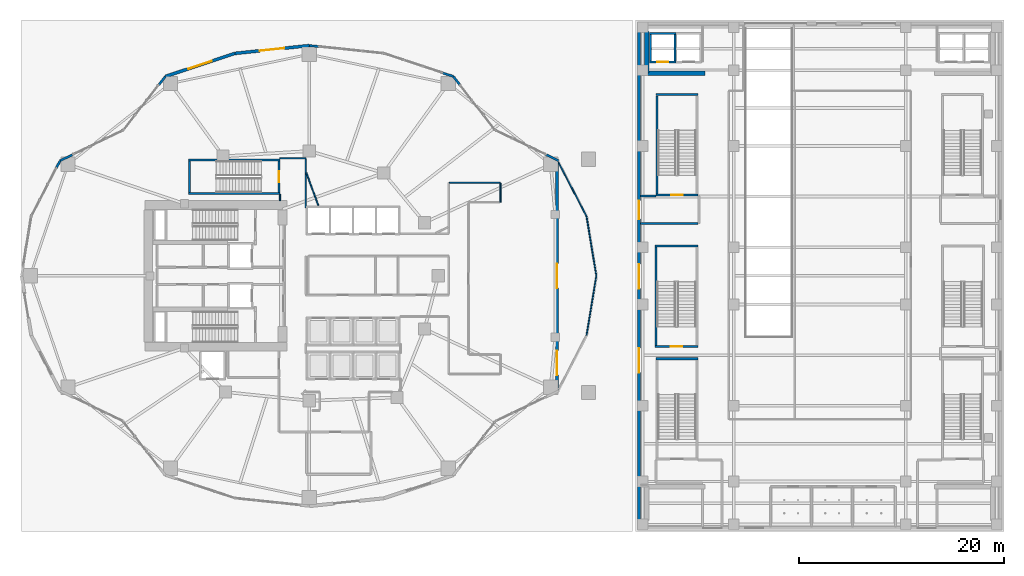
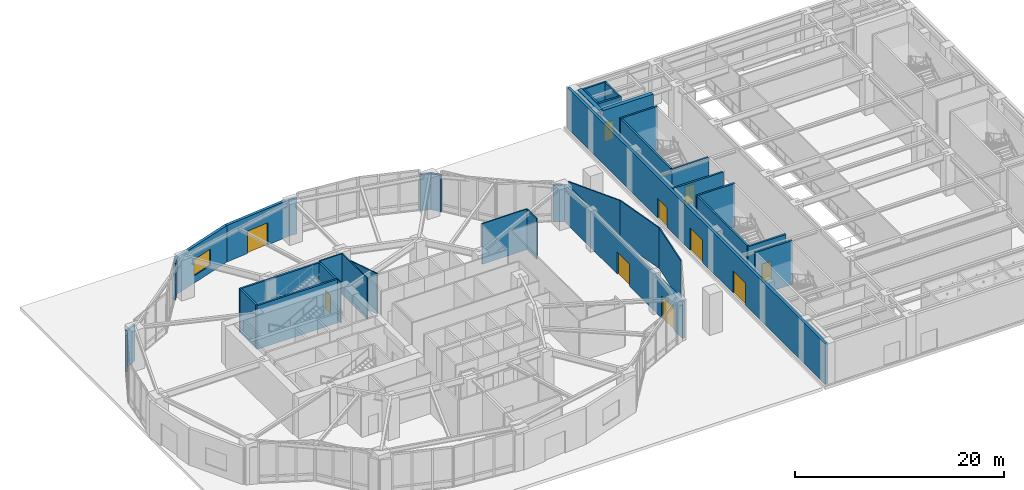
# One storey, part 14 of 23: 39 walls, 10 doors, 1 window, 11 openings.
"""IFC4 building model written with IfcOpenShell, lengths in metres."""

from ifc_helpers import new_model, si_unit, direction, frame, frame_2d, origin, place, context, subcontext, project, spatial, rectangle, extrude, material, layer, layer_set, type_object, element, fill, save


model = new_model("IFC4")

# Units and contexts
model_context = context("Model", 3, precision=1e-05, world=origin(), true_north=direction((0.0, 1.0)))
body_context = subcontext(model_context, "Body", "Model", "MODEL_VIEW")
ifc_project = project(units=[si_unit("LENGTHUNIT", "METRE"), si_unit("AREAUNIT", "SQUARE_METRE"), si_unit("VOLUMEUNIT", "CUBIC_METRE"), si_unit("PLANEANGLEUNIT", "RADIAN"), si_unit("MASSUNIT", "GRAM", prefix="KILO")], contexts=[model_context])

# Site, building, storey
site_placement = place(None, origin())
site = spatial("IfcSite", under=ifc_project, at=site_placement, CompositionType="ELEMENT")
building_placement = place(site_placement, origin())
building = spatial("IfcBuilding", under=site, at=building_placement, Name="Kolvaren Gate Tower and Convention Centre", CompositionType="ELEMENT")
storey_placement = place(building_placement, origin())
storey = spatial("IfcBuildingStorey", under=building, at=storey_placement, Name="L00", CompositionType="ELEMENT", Elevation=0.0)

# Walls
ifc_material_1 = material(Name="Fire-Rated Acoustic Gypsum Stud Partition", Category="gypsum")
ifc_layer_1 = layer(ifc_material_1, 0.1201171875)
ifc_layer_set_1 = layer_set([ifc_layer_1], Name="Fire-Rated Acoustic Gypsum Stud Partition")
wall_type_1 = type_object("IfcWallType", Name="ARCH-WL-PART-120", PredefinedType="PARTITIONING", material=ifc_layer_set_1)
wall_1_placement = place(storey_placement, frame((27.25, 34.35205078125, 0.0), z_axis=(0.0, 0.0, 1.0), x_axis=(0.0, 1.0, 0.0)))
element("IfcWall", 1, at=wall_1_placement, inside=storey, type_object=wall_type_1, Name="Interior Partition WL-L00-INT-021", PredefinedType="PARTITIONING", context=body_context, shape_type="SweptSolid", body=[
    extrude(rectangle(XDim=0.60595703125, YDim=0.1201171875, at=frame_2d((0.302978515625, 0.0))), origin(), (0.0, 0.0, 1.0), 4.739990234375),
])
wall_2_placement = place(storey_placement, frame((27.25, 38.5, 0.0), z_axis=(0.0, 0.0, 1.0), x_axis=(1.0, 0.0, 0.0)))
element("IfcWall", 2, at=wall_2_placement, inside=storey, type_object=wall_type_1, Name="Interior Partition WL-L00-INT-022", PredefinedType="PARTITIONING", context=body_context, shape_type="SweptSolid", body=[
    extrude(rectangle(XDim=2.530029296875, YDim=0.1201171875, at=frame_2d((1.26513671875, 0.0))), origin(), (0.0, 0.0, 1.0), 4.739990234375),
])
wall_3_placement = place(storey_placement, frame((29.780029296875, 33.639892578125, 0.0), z_axis=(0.0, 0.0, 1.0), x_axis=(0.0, 1.0, 0.0)))
element("IfcWall", 3, at=wall_3_placement, inside=storey, type_object=wall_type_1, Name="Interior Partition WL-L00-INT-025", PredefinedType="PARTITIONING", context=body_context, shape_type="SweptSolid", body=[
    extrude(rectangle(XDim=4.798095703125, YDim=0.1201171875, at=frame_2d((2.39892578125, 0.0))), origin(), (0.0, 0.0, 1.0), 4.739990234375),
])
wall_4_placement = place(storey_placement, frame((43.81201171875, 36.10009765625, 0.0), z_axis=(0.0, 0.0, 1.0), x_axis=(1.0, 0.0, 0.0)))
element("IfcWall", 4, at=wall_4_placement, inside=storey, type_object=wall_type_1, Name="Interior Partition WL-L00-INT-030", PredefinedType="PARTITIONING", context=body_context, shape_type="SweptSolid", body=[
    extrude(rectangle(XDim=4.988037109375, YDim=0.1201171875, at=frame_2d((2.494140625, 0.0))), origin(), (0.0, 0.0, 1.0), 4.739990234375),
])
wall_5_placement = place(storey_placement, frame((48.800048828125, 34.179931640625, 0.0), z_axis=(0.0, 0.0, 1.0), x_axis=(0.0, 1.0, 0.0)))
element("IfcWall", 5, at=wall_5_placement, inside=storey, type_object=wall_type_1, Name="Interior Partition WL-L00-INT-032", PredefinedType="PARTITIONING", context=body_context, shape_type="SweptSolid", body=[
    extrude(rectangle(XDim=1.858154296875, YDim=0.1201171875, at=frame_2d((0.92919921875, 0.0))), origin(), (0.0, 0.0, 1.0), 4.739990234375),
])
wall_6_placement = place(storey_placement, frame((54.48193359375, 38.0751953125, 0.0), z_axis=(0.0, 0.0, 1.0), x_axis=(0.459903416242, -0.88796894525, 0.0)))
element("IfcWall", 6, at=wall_6_placement, inside=storey, type_object=wall_type_1, Name="Interior Partition WL-L00-INT-046", PredefinedType="PARTITIONING", context=body_context, shape_type="SweptSolid", body=[
    extrude(rectangle(XDim=5.94287109375, YDim=0.1201171875, at=frame_2d((2.971435546875, 0.0))), origin(), (0.0, 0.0, 1.0), 4.739990234375),
])
for number, where, z_axis, x_axis, name in (
    (7, (57.215087890625, 32.798095703125, 0.0), (0.0, 0.0, 1.0), (0.162330181857, -0.986736495757, 0.0), "Interior Partition WL-L00-INT-047"),
    (8, (57.215087890625, 21.201904296875, 0.0), (0.0, 0.0, 1.0), (0.162330181857, 0.986736495757, 0.0), "Interior Partition WL-L00-INT-048"),
):
    element("IfcWall", number, at=place(storey_placement, frame(where, z_axis=z_axis, x_axis=x_axis)), inside=storey, type_object=wall_type_1, Name=name, PredefinedType="PARTITIONING", context=body_context, shape_type="SweptSolid", body=[
        extrude(rectangle(XDim=5.8759765625, YDim=0.1201171875, at=frame_2d((2.93798828125, 0.0))), origin(), (0.0, 0.0, 1.0), 4.739990234375),
    ])
wall_7_placement = place(storey_placement, frame((29.842041015625, 37.05078125, 0.0), z_axis=(0.0, 0.0, 1.0), x_axis=(0.342096301174, -0.939664898101, 0.0)))
element("IfcWall", 9, at=wall_7_placement, inside=storey, type_object=wall_type_1, Name="Interior Partition WL-L00-INT-051", PredefinedType="PARTITIONING", context=body_context, shape_type="SweptSolid", body=[
    extrude(rectangle(XDim=3.385009765625, YDim=0.1201171875, at=frame_2d((1.6923828125, 0.0))), origin(), (0.0, 0.0, 1.0), 4.739990234375),
])
ifc_material_2 = material(Name="Bogota Sabana Bush-Hammered Sandstone Cladding", Category="masonry")
ifc_layer_2 = layer(ifc_material_2, 0.219970703125)
ifc_layer_set_2 = layer_set([ifc_layer_2], Name="Bogota Sabana Bush-Hammered Sandstone Cladding")
wall_type_2 = type_object("IfcWallType", Name="ARCH-WL-PIER-220", PredefinedType="SOLIDWALL", material=ifc_layer_set_2)
wall_8_placement = place(storey_placement, frame((53.23681640625, 38.848388671875, 0.0), z_axis=(0.0, 0.0, 1.0), x_axis=(0.901316119915, -0.433161923512, 0.0)))
element("IfcWall", 10, at=wall_8_placement, inside=storey, type_object=wall_type_2, Name="Tower L00 Unitised Curtain Wall CW-POD-GLZ Bay 02 Right Column Pier Wrap", PredefinedType="SOLIDWALL", context=body_context, shape_type="SweptSolid", body=[
    extrude(rectangle(XDim=1.38134765625, YDim=0.219970703125, at=frame_2d((0.690673828125, 0.0))), origin(), (0.0, 0.0, 1.0), 4.262939453125),
])
wall_9_placement = place(storey_placement, frame((44.1875, 46.485595703125, 0.0), z_axis=(0.0, 0.0, 1.0), x_axis=(0.616387780378, -0.787442762492, 0.0)))
element("IfcWall", 11, at=wall_9_placement, inside=storey, type_object=wall_type_2, Name="Tower L00 Unitised Curtain Wall CW-POD-GLZ Bay 03 Left Column Pier Wrap", PredefinedType="SOLIDWALL", context=body_context, shape_type="SweptSolid", body=[
    extrude(rectangle(XDim=1.076171875, YDim=0.219970703125, at=frame_2d((0.5380859375, 0.0))), origin(), (0.0, 0.0, 1.0), 4.262939453125),
])
wall_10_placement = place(storey_placement, frame((43.148193359375, 46.830078125, 0.0), z_axis=(0.0, 0.0, 1.0), x_axis=(0.949217086672, -0.314621872045, 0.0)))
element("IfcWall", 12, at=wall_10_placement, inside=storey, type_object=wall_type_2, Name="Tower L00 Unitised Curtain Wall CW-POD-GLZ Bay 04 Right Column Pier Wrap", PredefinedType="SOLIDWALL", context=body_context, shape_type="SweptSolid", body=[
    extrude(rectangle(XDim=1.094970703125, YDim=0.219970703125, at=frame_2d((0.54736328125, 0.0))), origin(), (0.0, 0.0, 1.0), 4.262939453125),
])
wall_11_placement = place(storey_placement, frame((30.125, 49.5, 0.0), z_axis=(0.0, 0.0, 1.0), x_axis=(0.994486716049, -0.104862632057, 0.0)))
element("IfcWall", 13, at=wall_11_placement, inside=storey, type_object=wall_type_2, Name="Tower L00 Unitised Curtain Wall CW-POD-GLZ Bay 05 Left Column Pier Wrap", PredefinedType="SOLIDWALL", context=body_context, shape_type="SweptSolid", body=[
    extrude(rectangle(XDim=0.928955078125, YDim=0.219970703125, at=frame_2d((0.46435546875, 0.0))), origin(), (0.0, 0.0, 1.0), 4.262939453125),
])
wall_12_placement = place(storey_placement, frame((15.39892578125, 45.63818359375, 0.0), z_axis=(0.0, 0.0, 1.0), x_axis=(0.616528421162, 0.787332652632, 0.0)))
element("IfcWall", 14, at=wall_12_placement, inside=storey, type_object=wall_type_2, Name="Tower L00 Unitised Curtain Wall CW-POD-GLZ Bay 08 Right Column Pier Wrap", PredefinedType="SOLIDWALL", context=body_context, shape_type="SweptSolid", body=[
    extrude(rectangle(XDim=1.076416015625, YDim=0.219970703125, at=frame_2d((0.5380859375, 0.0))), origin(), (0.0, 0.0, 1.0), 4.262939453125),
])
wall_13_placement = place(storey_placement, frame((5.76806640625, 38.25, 0.0), z_axis=(0.0, 0.0, 1.0), x_axis=(0.90131879969, 0.433156347438, 0.0)))
element("IfcWall", 15, at=wall_13_placement, inside=storey, type_object=wall_type_2, Name="Tower L00 Unitised Curtain Wall CW-POD-GLZ Bay 09 Left Column Pier Wrap", PredefinedType="SOLIDWALL", context=body_context, shape_type="SweptSolid", body=[
    extrude(rectangle(XDim=1.380859375, YDim=0.219970703125, at=frame_2d((0.6904296875, 0.0))), origin(), (0.0, 0.0, 1.0), 4.262939453125),
])
wall_14_placement = place(storey_placement, frame((5.3994140625, 37.537841796875, 0.0), z_axis=(0.0, 0.0, 1.0), x_axis=(0.459712774547, 0.88806765785, 0.0)))
element("IfcWall", 16, at=wall_14_placement, inside=storey, type_object=wall_type_2, Name="Tower L00 Unitised Curtain Wall CW-POD-GLZ Bay 10 Right Column Pier Wrap", PredefinedType="SOLIDWALL", context=body_context, shape_type="SweptSolid", body=[
    extrude(rectangle(XDim=0.802001953125, YDim=0.219970703125, at=frame_2d((0.40087890625, 0.0))), origin(), (0.0, 0.0, 1.0), 4.262939453125),
])
ifc_material_3 = material(Name="Autoclaved Aerated Masonry Blockwork Class 4 (4.0 MPa)", Category="masonry")
ifc_layer_3 = layer(ifc_material_3, 0.199951171875)
ifc_layer_set_3 = layer_set([ifc_layer_3], Name="Autoclaved Aerated Masonry Blockwork Class 4 (4.0 MPa)")
wall_type_3 = type_object("IfcWallType", Name="ARCH-WL-SHAFT-200", PredefinedType="SOLIDWALL", material=ifc_layer_set_3)
wall_15_placement = place(storey_placement, frame((63.35009765625, 50.699951171875, 0.0), z_axis=(0.0, 0.0, 1.0), x_axis=(1.0, 0.0, 0.0)))
element("IfcWall", 17, at=wall_15_placement, inside=storey, type_object=wall_type_3, Name="Elevator CL-01 L00 Fire Shaft Wall N", PredefinedType="SOLIDWALL", context=body_context, shape_type="SweptSolid", body=[
    extrude(rectangle(XDim=2.599853515625, YDim=0.199951171875, at=frame_2d((1.2998046875, 0.0))), origin(), (0.0, 0.0, 1.0), 4.739990234375),
])

# Wall, opening, door
wall_16_placement = place(storey_placement, frame((63.35009765625, 47.89990234375, 0.0), z_axis=(0.0, 0.0, 1.0), x_axis=(1.0, 0.0, 0.0)))
wall_16 = element("IfcWall", 18, at=wall_16_placement, inside=storey, type_object=wall_type_3, Name="Elevator CL-01 L00 Fire Shaft Wall S", PredefinedType="SOLIDWALL", context=body_context, shape_type="SweptSolid", body=[
    extrude(rectangle(XDim=2.599853515625, YDim=0.199951171875, at=frame_2d((1.2998046875, 0.0))), origin(), (0.0, 0.0, 1.0), 4.739990234375),
])
opening_1_placement = place(wall_16_placement, frame((0.75, 0.0, 0.0)))
opening_1 = element("IfcOpeningElement", 19, at=opening_1_placement, cuts=wall_16, Name="Opening LD", PredefinedType="OPENING", context=body_context, shape_type="SweptSolid", body=[
    extrude(rectangle(XDim=1.10009765625, YDim=2.199951171875, at=frame_2d((0.550048828125, 1.10009765625))), frame((0.0, 0.10986328125, 0.0), z_axis=(0.0, -1.0, 0.0), x_axis=(1.0, 0.0, 0.0)), (0.0, 0.0, 1.0), 0.219970703125),
])
ifc_material_4 = material(Name="Brushed Stainless Steel Grade 316L", Category="steel")
door_type_1 = type_object("IfcDoorType", Name="ARCH-DR-LIFT-1100", OperationType="SLIDING_TO_LEFT", PredefinedType="DOOR", material=ifc_material_4)
door_1_placement = place(opening_1_placement, origin())
door_1 = element("IfcDoor", 20, at=door_1_placement, inside=storey, type_object=door_type_1, Name="Elevator CL-01 L00 Sliding Landing Door", OperationType="SLIDING_TO_LEFT", OverallHeight=2.199951171875, OverallWidth=1.10009765625, PredefinedType="DOOR", context=body_context, shape_type="SweptSolid", body=[
    extrude(rectangle(XDim=1.10009765625, YDim=2.199951171875, at=frame_2d((0.550048828125, 1.10009765625))), frame((0.0, 0.02490234375, 0.0), z_axis=(0.0, -1.0, 0.0), x_axis=(1.0, 0.0, 0.0)), (0.0, 0.0, 1.0), 0.050048828125),
])
fill(opening_1, door_1)

# Walls
for number, where, z_axis, x_axis, name in (
    (21, (63.449951171875, 48.010009765625, 0.0), (0.0, 0.0, 1.0), (0.0, 1.0, 0.0), "Elevator CL-01 L00 Fire Shaft Wall W"),
    (22, (65.85009765625, 48.010009765625, 0.0), (0.0, 0.0, 1.0), (0.0, 1.0, 0.0), "Elevator CL-01 L00 Fire Shaft Wall E"),
):
    element("IfcWall", number, at=place(storey_placement, frame(where, z_axis=z_axis, x_axis=x_axis)), inside=storey, type_object=wall_type_3, Name=name, PredefinedType="SOLIDWALL", context=body_context, shape_type="SweptSolid", body=[
        extrude(rectangle(XDim=2.580078125, YDim=0.199951171875, at=frame_2d((1.2900390625, 0.0))), origin(), (0.0, 0.0, 1.0), 4.739990234375),
    ])
wall_17_placement = place(storey_placement, frame((62.501953125, 32.10009765625, 0.0), z_axis=(0.0, 0.0, 1.0), x_axis=(1.0, 0.0, 0.0)))
element("IfcWall", 23, at=wall_17_placement, inside=storey, type_object=wall_type_3, Name="Interior Partition WL-L00-INT-053", PredefinedType="SOLIDWALL", context=body_context, shape_type="SweptSolid", body=[
    extrude(rectangle(XDim=5.595947265625, YDim=0.199951171875, at=frame_2d((2.7978515625, 0.0))), origin(), (0.0, 0.0, 1.0), 4.739990234375),
])
wall_18_placement = place(storey_placement, frame((62.501953125, 34.800048828125, 0.0), z_axis=(0.0, 0.0, 1.0), x_axis=(1.0, 0.0, 0.0)))
element("IfcWall", 24, at=wall_18_placement, inside=storey, type_object=wall_type_3, Name="Interior Partition WL-L00-INT-055", PredefinedType="SOLIDWALL", context=body_context, shape_type="SweptSolid", body=[
    extrude(rectangle(XDim=1.498046875, YDim=0.199951171875, at=frame_2d((0.7490234375, 0.0))), origin(), (0.0, 0.0, 1.0), 4.375),
])

# Wall, opening, door
ifc_material_5 = material(Name="Piedmont Cream Honed Limestone Cladding", Category="masonry")
ifc_layer_4 = layer(ifc_material_5, 0.300048828125)
ifc_layer_set_4 = layer_set([ifc_layer_4], Name="Piedmont Cream Honed Limestone Cladding")
wall_type_4 = type_object("IfcWallType", Name="ARCH-WL-STONE-300", PredefinedType="SOLIDWALL", material=ifc_layer_set_4)
wall_19_placement = place(storey_placement, frame((22.845703125, 48.7333984375, 0.0), z_axis=(0.0, 0.0, 1.0), x_axis=(0.994500334317, 0.104733399844, 0.0)))
wall_19 = element("IfcWall", 25, at=wall_19_placement, inside=storey, type_object=wall_type_4, Name="Tower L00 Honed Stone Spandrel Wall EW-06", PredefinedType="SOLIDWALL", context=body_context, shape_type="SweptSolid", body=[
    extrude(rectangle(XDim=7.319580078125, YDim=0.300048828125, at=frame_2d((3.65966796875, 0.0))), origin(), (0.0, 0.0, 1.0), 4.262939453125),
])
opening_2_placement = place(wall_19_placement, frame((2.4599609375, 0.0, 0.0)))
opening_2 = element("IfcOpeningElement", 26, at=opening_2_placement, cuts=wall_19, Name="Opening DE-01", PredefinedType="OPENING", context=body_context, shape_type="SweptSolid", body=[
    extrude(rectangle(XDim=2.39990234375, YDim=2.60009765625, at=frame_2d((1.199951171875, 1.300048828125))), frame((0.0, 0.159912109375, 0.0), z_axis=(0.0, -1.0, 0.0), x_axis=(1.0, 0.0, 0.0)), (0.0, 0.0, 1.0), 0.320068359375),
])
ifc_material_6 = material(Name="Anodized Architectural Aluminium Alloy 6063-T6", Category="aluminium")
door_type_2 = type_object("IfcDoorType", Name="ARCH-DR-ENT-2400", OperationType="DOUBLE_DOOR_SINGLE_SWING", PredefinedType="DOOR", material=ifc_material_6)
door_2_placement = place(opening_2_placement, origin())
door_2 = element("IfcDoor", 27, at=door_2_placement, inside=storey, type_object=door_type_2, Name="Tower Ground Entrance Portal Door DE-06", OperationType="DOUBLE_DOOR_SINGLE_SWING", OverallHeight=2.60009765625, OverallWidth=2.39990234375, PredefinedType="DOOR", context=body_context, shape_type="SweptSolid", body=[
    extrude(rectangle(XDim=2.39990234375, YDim=2.60009765625, at=frame_2d((1.199951171875, 1.300048828125))), frame((0.0, 0.02490234375, 0.0), z_axis=(0.0, -1.0, 0.0), x_axis=(1.0, 0.0, 0.0)), (0.0, 0.0, 1.0), 0.050048828125),
])
fill(opening_2, door_2)

# Wall, opening, window
wall_20_placement = place(storey_placement, frame((16.0625, 46.485595703125, 0.0), z_axis=(0.0, 0.0, 1.0), x_axis=(0.949238715533, 0.31455661006, 0.0)))
wall_20 = element("IfcWall", 28, at=wall_20_placement, inside=storey, type_object=wall_type_4, Name="Tower L00 Honed Stone Spandrel Wall EW-07", PredefinedType="SOLIDWALL", context=body_context, shape_type="SweptSolid", body=[
    extrude(rectangle(XDim=7.14599609375, YDim=0.300048828125, at=frame_2d((3.572998046875, 0.0))), origin(), (0.0, 0.0, 1.0), 4.262939453125),
])
opening_3_placement = place(wall_20_placement, frame((2.373046875, 0.0, 0.85009765625)))
opening_3 = element("IfcOpeningElement", 29, at=opening_3_placement, cuts=wall_20, Name="Opening W-01", PredefinedType="OPENING", context=body_context, shape_type="SweptSolid", body=[
    extrude(rectangle(XDim=2.39990234375, YDim=1.89990234375, at=frame_2d((1.199951171875, 0.949951171875))), frame((0.0, 0.159912109375, 0.0), z_axis=(0.0, -1.0, 0.0), x_axis=(1.0, 0.0, 0.0)), (0.0, 0.0, 1.0), 0.320068359375),
])
ifc_material_7 = material(Name="Low-E Triple Insulated Glazing Unit 44 mm", Category="glass")
window_type = type_object("IfcWindowType", Name="ARCH-WN-OFF-2400", PartitioningType="SINGLE_PANEL", PredefinedType="WINDOW", material=ifc_material_7)
window_placement = place(opening_3_placement, origin())
window = element("IfcWindow", 30, at=window_placement, inside=storey, type_object=window_type, Name="Tower L00 Punched Stone Facade Window W-07", OverallHeight=1.89990234375, OverallWidth=2.39990234375, PartitioningType="SINGLE_PANEL", PredefinedType="WINDOW", context=body_context, shape_type="SweptSolid", body=[
    extrude(rectangle(XDim=2.39990234375, YDim=1.89990234375, at=frame_2d((1.199951171875, 0.949951171875))), frame((0.0, 0.030029296875, 0.0), z_axis=(0.0, -1.0, 0.0), x_axis=(1.0, 0.0, 0.0)), (0.0, 0.0, 1.0), 0.06005859375),
])
fill(opening_3, window)

# Wall, openings, doors
wall_21_placement = place(storey_placement, frame((54.330078125, 15.75, 0.0), z_axis=(0.0, 0.0, 1.0), x_axis=(0.0, 1.0, 0.0)))
wall_21 = element("IfcWall", 31, at=wall_21_placement, inside=storey, type_object=wall_type_4, Name="Monumental Arch Recessed Portal Wall AW-L00", PredefinedType="SOLIDWALL", context=body_context, shape_type="SweptSolid", body=[
    extrude(rectangle(XDim=22.5, YDim=0.300048828125, at=frame_2d((11.25, 0.0))), origin(), (0.0, 0.0, 1.0), 4.31201171875),
])
opening_4_placement = place(wall_21_placement, frame((1.550048828125, 0.0, 0.0)))
opening_4 = element("IfcOpeningElement", 32, at=opening_4_placement, cuts=wall_21, Name="Opening DE-01", PredefinedType="OPENING", context=body_context, shape_type="SweptSolid", body=[
    extrude(rectangle(XDim=2.39990234375, YDim=2.60009765625, at=frame_2d((1.199951171875, 1.300048828125))), frame((0.0, 0.159912109375, 0.0), z_axis=(0.0, -1.0, 0.0), x_axis=(1.0, 0.0, 0.0)), (0.0, 0.0, 1.0), 0.320068359375),
])
opening_5_placement = place(wall_21_placement, frame((10.050048828125, 0.0, 0.0)))
opening_5 = element("IfcOpeningElement", 33, at=opening_5_placement, cuts=wall_21, Name="Opening DE-01", PredefinedType="OPENING", context=body_context, shape_type="SweptSolid", body=[
    extrude(rectangle(XDim=2.39990234375, YDim=2.60009765625, at=frame_2d((1.199951171875, 1.300048828125))), frame((0.0, 0.159912109375, 0.0), z_axis=(0.0, -1.0, 0.0), x_axis=(1.0, 0.0, 0.0)), (0.0, 0.0, 1.0), 0.320068359375),
])
door_3_placement = place(opening_4_placement, frame((2.39990234375, 0.0, 0.0), z_axis=(0.0, 0.0, 1.0), x_axis=(-1.0, 0.0, 0.0)))
door_3 = element("IfcDoor", 34, at=door_3_placement, inside=storey, type_object=door_type_2, Name="Grand Arch Plaza Entrance Door AD-1", OperationType="DOUBLE_DOOR_SINGLE_SWING", OverallHeight=2.60009765625, OverallWidth=2.39990234375, PredefinedType="DOOR", context=body_context, shape_type="SweptSolid", body=[
    extrude(rectangle(XDim=2.39990234375, YDim=2.60009765625, at=frame_2d((1.199951171875, 1.300048828125))), frame((0.0, 0.02490234375, 0.0), z_axis=(0.0, -1.0, 0.0), x_axis=(1.0, 0.0, 0.0)), (0.0, 0.0, 1.0), 0.050048828125),
])
fill(opening_4, door_3)
door_4_placement = place(opening_5_placement, frame((2.39990234375, 0.0, 0.0), z_axis=(0.0, 0.0, 1.0), x_axis=(-1.0, 0.0, 0.0)))
door_4 = element("IfcDoor", 35, at=door_4_placement, inside=storey, type_object=door_type_2, Name="Grand Arch Plaza Entrance Door AD-2", OperationType="DOUBLE_DOOR_SINGLE_SWING", OverallHeight=2.60009765625, OverallWidth=2.39990234375, PredefinedType="DOOR", context=body_context, shape_type="SweptSolid", body=[
    extrude(rectangle(XDim=2.39990234375, YDim=2.60009765625, at=frame_2d((1.199951171875, 1.300048828125))), frame((0.0, 0.02490234375, 0.0), z_axis=(0.0, -1.0, 0.0), x_axis=(1.0, 0.0, 0.0)), (0.0, 0.0, 1.0), 0.050048828125),
])
fill(opening_5, door_4)

wall_22_placement = place(storey_placement, frame((62.35009765625, 2.35009765625, 0.0), z_axis=(0.0, 0.0, 1.0), x_axis=(0.0, 1.0, 0.0)))
wall_22 = element("IfcWall", 36, at=wall_22_placement, inside=storey, type_object=wall_type_4, Name="Convention Centre L00 W Stone Facade Wall", PredefinedType="SOLIDWALL", context=body_context, shape_type="SweptSolid", body=[
    extrude(rectangle(XDim=49.2998046875, YDim=0.300048828125, at=frame_2d((24.64990234375, 0.0))), origin(), (0.0, 0.0, 1.0), 4.739990234375),
])
opening_6_placement = place(wall_22_placement, frame((15.199951171875, 0.0, 0.0)))
opening_6 = element("IfcOpeningElement", 37, at=opening_6_placement, cuts=wall_22, Name="Opening DE-01", PredefinedType="OPENING", context=body_context, shape_type="SweptSolid", body=[
    extrude(rectangle(XDim=2.39990234375, YDim=2.60009765625, at=frame_2d((1.199951171875, 1.300048828125))), frame((0.0, 0.159912109375, 0.0), z_axis=(0.0, -1.0, 0.0), x_axis=(1.0, 0.0, 0.0)), (0.0, 0.0, 1.0), 0.320068359375),
])
opening_7_placement = place(wall_22_placement, frame((23.39990234375, 0.0, 0.0)))
opening_7 = element("IfcOpeningElement", 38, at=opening_7_placement, cuts=wall_22, Name="Opening DE-01", PredefinedType="OPENING", context=body_context, shape_type="SweptSolid", body=[
    extrude(rectangle(XDim=2.39990234375, YDim=2.60009765625, at=frame_2d((1.199951171875, 1.300048828125))), frame((0.0, 0.159912109375, 0.0), z_axis=(0.0, -1.0, 0.0), x_axis=(1.0, 0.0, 0.0)), (0.0, 0.0, 1.0), 0.320068359375),
])
opening_8_placement = place(wall_22_placement, frame((30.199951171875, 0.0, 0.0)))
opening_8 = element("IfcOpeningElement", 39, at=opening_8_placement, cuts=wall_22, Name="Opening DX-01", PredefinedType="OPENING", context=body_context, shape_type="SweptSolid", body=[
    extrude(rectangle(XDim=1.800048828125, YDim=2.300048828125, at=frame_2d((0.89990234375, 1.14990234375))), frame((0.0, 0.159912109375, 0.0), z_axis=(0.0, -1.0, 0.0), x_axis=(1.0, 0.0, 0.0)), (0.0, 0.0, 1.0), 0.320068359375),
])
door_5_placement = place(opening_6_placement, origin())
door_5 = element("IfcDoor", 40, at=door_5_placement, inside=storey, type_object=door_type_2, Name="Convention Plaza Main Entrance Door CD-W1", OperationType="DOUBLE_DOOR_SINGLE_SWING", OverallHeight=2.60009765625, OverallWidth=2.39990234375, PredefinedType="DOOR", context=body_context, shape_type="SweptSolid", body=[
    extrude(rectangle(XDim=2.39990234375, YDim=2.60009765625, at=frame_2d((1.199951171875, 1.300048828125))), frame((0.0, 0.02490234375, 0.0), z_axis=(0.0, -1.0, 0.0), x_axis=(1.0, 0.0, 0.0)), (0.0, 0.0, 1.0), 0.050048828125),
])
fill(opening_6, door_5)
door_6_placement = place(opening_7_placement, origin())
door_6 = element("IfcDoor", 41, at=door_6_placement, inside=storey, type_object=door_type_2, Name="Convention Plaza Main Entrance Door CD-W2", OperationType="DOUBLE_DOOR_SINGLE_SWING", OverallHeight=2.60009765625, OverallWidth=2.39990234375, PredefinedType="DOOR", context=body_context, shape_type="SweptSolid", body=[
    extrude(rectangle(XDim=2.39990234375, YDim=2.60009765625, at=frame_2d((1.199951171875, 1.300048828125))), frame((0.0, 0.02490234375, 0.0), z_axis=(0.0, -1.0, 0.0), x_axis=(1.0, 0.0, 0.0)), (0.0, 0.0, 1.0), 0.050048828125),
])
fill(opening_7, door_6)
door_type_3 = type_object("IfcDoorType", Name="ARCH-DR-EXIT-1800", OperationType="DOUBLE_DOOR_SINGLE_SWING", PredefinedType="DOOR", material=ifc_material_6)
door_7_placement = place(opening_8_placement, origin())
door_7 = element("IfcDoor", 42, at=door_7_placement, inside=storey, type_object=door_type_3, Name="Stair ST-C1 Protected Exit Discharge Door DX-C1", OperationType="DOUBLE_DOOR_SINGLE_SWING", OverallHeight=2.300048828125, OverallWidth=1.800048828125, PredefinedType="DOOR", context=body_context, shape_type="SweptSolid", body=[
    extrude(rectangle(XDim=1.800048828125, YDim=2.300048828125, at=frame_2d((0.89990234375, 1.14990234375))), frame((0.0, 0.02490234375, 0.0), z_axis=(0.0, -1.0, 0.0), x_axis=(1.0, 0.0, 0.0)), (0.0, 0.0, 1.0), 0.050048828125),
])
fill(opening_8, door_7)

# Walls
ifc_material_8 = material(Name="Concrete C50/60", Category="concrete")
ifc_layer_5 = layer(ifc_material_8, 0.419921875)
ifc_layer_set_5 = layer_set([ifc_layer_5], Name="Concrete C50/60")
wall_type_5 = type_object("IfcWallType", Name="STR-WL-CONV-420", PredefinedType="SHEAR", material=ifc_layer_set_5)
wall_23_placement = place(storey_placement, frame((63.10009765625, 46.800048828125, -0.360107421875), z_axis=(0.0, 0.0, 1.0), x_axis=(0.0, 1.0, 0.0)))
element("IfcWall", 43, at=wall_23_placement, inside=storey, type_object=wall_type_5, Name="Convention L00 Shear Core Wall CCNW-W", PredefinedType="SHEAR", context=body_context, shape_type="SweptSolid", body=[
    extrude(rectangle(XDim=4.099853515625, YDim=0.419921875, at=frame_2d((2.0498046875, 0.0))), origin(), (0.0, 0.0, 1.0), 5.10009765625),
])
wall_24_placement = place(storey_placement, frame((63.10009765625, 46.800048828125, -0.360107421875), z_axis=(0.0, 0.0, 1.0), x_axis=(1.0, 0.0, 0.0)))
element("IfcWall", 44, at=wall_24_placement, inside=storey, type_object=wall_type_5, Name="Convention L00 Shear Core Wall CCNW-S", PredefinedType="SHEAR", context=body_context, shape_type="SweptSolid", body=[
    extrude(rectangle(XDim=5.699951171875, YDim=0.419921875, at=frame_2d((2.85009765625, 0.0))), origin(), (0.0, 0.0, 1.0), 5.10009765625),
])

# Wall, opening, door
ifc_layer_6 = layer(ifc_material_8, 0.199951171875)
ifc_layer_set_6 = layer_set([ifc_layer_6], Name="Concrete C50/60")
wall_type_6 = type_object("IfcWallType", Name="STR-WL-SHAFT-200", PredefinedType="SHEAR", material=ifc_layer_set_6)
wall_25_placement = place(storey_placement, frame((27.14990234375, 35.159912109375, -0.360107421875), z_axis=(0.0, 0.0, 1.0), x_axis=(0.0, 1.0, 0.0)))
wall_25 = element("IfcWall", 45, at=wall_25_placement, inside=storey, type_object=wall_type_6, Name="Tower Mid-Zone Exit Stair ST-T3 L00 Structural Shear Enclosure Wall NEAR", PredefinedType="SHEAR", context=body_context, shape_type="SweptSolid", body=[
    extrude(rectangle(XDim=3.0400390625, YDim=0.199951171875, at=frame_2d((1.52001953125, 0.0))), origin(), (0.0, 0.0, 1.0), 5.10009765625),
])
opening_9_placement = place(wall_25_placement, frame((0.969970703125, 0.0, 0.360107421875)))
opening_9 = element("IfcOpeningElement", 46, at=opening_9_placement, cuts=wall_25, Name="Opening DS-01", PredefinedType="OPENING", context=body_context, shape_type="SweptSolid", body=[
    extrude(rectangle(XDim=1.10009765625, YDim=2.14990234375, at=frame_2d((0.550048828125, 1.074951171875))), frame((0.0, 0.10986328125, 0.0), z_axis=(0.0, -1.0, 0.0), x_axis=(1.0, 0.0, 0.0)), (0.0, 0.0, 1.0), 0.219970703125),
])
ifc_material_9 = material(Name="Painted Architectural Steelwork ASTM A500 Grade C 345 MPa", Category="steel")
door_type_4 = type_object("IfcDoorType", Name="ARCH-DR-STAIR-1100", OperationType="SINGLE_SWING_LEFT", PredefinedType="DOOR", material=ifc_material_9)
door_8_placement = place(opening_9_placement, origin())
door_8 = element("IfcDoor", 47, at=door_8_placement, inside=storey, type_object=door_type_4, Name="Tower Mid-Zone Exit Stair ST-T3 L00 Fire Exit Stair Door", OperationType="SINGLE_SWING_RIGHT", OverallHeight=2.14990234375, OverallWidth=1.10009765625, PredefinedType="DOOR", context=body_context, shape_type="SweptSolid", body=[
    extrude(rectangle(XDim=1.10009765625, YDim=2.14990234375, at=frame_2d((0.550048828125, 1.074951171875))), frame((0.0, 0.02490234375, 0.0), z_axis=(0.0, -1.0, 0.0), x_axis=(1.0, 0.0, 0.0)), (0.0, 0.0, 1.0), 0.050048828125),
])
fill(opening_9, door_8)

# Walls
wall_26_placement = place(storey_placement, frame((18.39990234375, 35.159912109375, -0.360107421875), z_axis=(0.0, 0.0, 1.0), x_axis=(0.0, 1.0, 0.0)))
element("IfcWall", 48, at=wall_26_placement, inside=storey, type_object=wall_type_6, Name="Tower Mid-Zone Exit Stair ST-T3 L00 Structural Shear Enclosure Wall FAR", PredefinedType="SHEAR", context=body_context, shape_type="SweptSolid", body=[
    extrude(rectangle(XDim=3.0400390625, YDim=0.199951171875, at=frame_2d((1.52001953125, 0.0))), origin(), (0.0, 0.0, 1.0), 5.10009765625),
])
for number, where, z_axis, x_axis, name in (
    (49, (18.300048828125, 38.300048828125, -0.360107421875), (0.0, 0.0, 1.0), (1.0, 0.0, 0.0), "Tower Mid-Zone Exit Stair ST-T3 L00 Structural Shear Enclosure Wall LEFT"),
    (50, (18.300048828125, 35.06005859375, -0.360107421875), (0.0, 0.0, 1.0), (1.0, 0.0, 0.0), "Tower Mid-Zone Exit Stair ST-T3 L00 Structural Shear Enclosure Wall RGHT"),
):
    element("IfcWall", number, at=place(storey_placement, frame(where, z_axis=z_axis, x_axis=x_axis)), inside=storey, type_object=wall_type_6, Name=name, PredefinedType="SHEAR", context=body_context, shape_type="SweptSolid", body=[
        extrude(rectangle(XDim=8.949951171875, YDim=0.199951171875, at=frame_2d((4.47509765625, 0.0))), origin(), (0.0, 0.0, 1.0), 5.10009765625),
    ])

# Wall, opening, door
wall_27_placement = place(storey_placement, frame((64.0, 34.89990234375, -0.360107421875), z_axis=(0.0, 0.0, 1.0), x_axis=(1.0, 0.0, 0.0)))
wall_27 = element("IfcWall", 51, at=wall_27_placement, inside=storey, type_object=wall_type_6, Name="Convention NW Exit Stair ST-C1 L00 Structural Shear Enclosure Wall NEAR", PredefinedType="SHEAR", context=body_context, shape_type="SweptSolid", body=[
    extrude(rectangle(XDim=4.10009765625, YDim=0.199951171875, at=frame_2d((2.050048828125, 0.0))), origin(), (0.0, 0.0, 1.0), 5.10009765625),
])
opening_10_placement = place(wall_27_placement, frame((1.5, 0.0, 0.360107421875)))
opening_10 = element("IfcOpeningElement", 52, at=opening_10_placement, cuts=wall_27, Name="Opening DS-01", PredefinedType="OPENING", context=body_context, shape_type="SweptSolid", body=[
    extrude(rectangle(XDim=1.10009765625, YDim=2.14990234375, at=frame_2d((0.550048828125, 1.074951171875))), frame((0.0, 0.10986328125, 0.0), z_axis=(0.0, -1.0, 0.0), x_axis=(1.0, 0.0, 0.0)), (0.0, 0.0, 1.0), 0.219970703125),
])
door_9_placement = place(opening_10_placement, origin())
door_9 = element("IfcDoor", 53, at=door_9_placement, inside=storey, type_object=door_type_4, Name="Convention NW Exit Stair ST-C1 L00 Fire Exit Stair Door", OperationType="SINGLE_SWING_RIGHT", OverallHeight=2.14990234375, OverallWidth=1.10009765625, PredefinedType="DOOR", context=body_context, shape_type="SweptSolid", body=[
    extrude(rectangle(XDim=1.10009765625, YDim=2.14990234375, at=frame_2d((0.550048828125, 1.074951171875))), frame((0.0, 0.02490234375, 0.0), z_axis=(0.0, -1.0, 0.0), x_axis=(1.0, 0.0, 0.0)), (0.0, 0.0, 1.0), 0.050048828125),
])
fill(opening_10, door_9)

# Walls
wall_28_placement = place(storey_placement, frame((64.0, 44.699951171875, -0.360107421875), z_axis=(0.0, 0.0, 1.0), x_axis=(1.0, 0.0, 0.0)))
element("IfcWall", 54, at=wall_28_placement, inside=storey, type_object=wall_type_6, Name="Convention NW Exit Stair ST-C1 L00 Structural Shear Enclosure Wall FAR", PredefinedType="SHEAR", context=body_context, shape_type="SweptSolid", body=[
    extrude(rectangle(XDim=4.10009765625, YDim=0.199951171875, at=frame_2d((2.050048828125, 0.0))), origin(), (0.0, 0.0, 1.0), 5.10009765625),
])
wall_29_placement = place(storey_placement, frame((64.10009765625, 35.001953125, -0.360107421875), z_axis=(0.0, 0.0, 1.0), x_axis=(0.0, 1.0, 0.0)))
element("IfcWall", 55, at=wall_29_placement, inside=storey, type_object=wall_type_6, Name="Convention NW Exit Stair ST-C1 L00 Structural Shear Enclosure Wall WEST", PredefinedType="SHEAR", context=body_context, shape_type="SweptSolid", body=[
    extrude(rectangle(XDim=9.595947265625, YDim=0.199951171875, at=frame_2d((4.7978515625, 0.0))), origin(), (0.0, 0.0, 1.0), 5.10009765625),
])
wall_30_placement = place(storey_placement, frame((64.0, 18.89990234375, -0.360107421875), z_axis=(0.0, 0.0, 1.0), x_axis=(1.0, 0.0, 0.0)))
element("IfcWall", 56, at=wall_30_placement, inside=storey, type_object=wall_type_6, Name="Convention SW Exit Stair ST-C2 L00 Structural Shear Enclosure Wall FAR", PredefinedType="SHEAR", context=body_context, shape_type="SweptSolid", body=[
    extrude(rectangle(XDim=4.10009765625, YDim=0.199951171875, at=frame_2d((2.050048828125, 0.0))), origin(), (0.0, 0.0, 1.0), 5.10009765625),
])

# Wall, opening, door
wall_31_placement = place(storey_placement, frame((63.89990234375, 20.10009765625, -0.360107421875), z_axis=(0.0, 0.0, 1.0), x_axis=(1.0, 0.0, 0.0)))
wall_31 = element("IfcWall", 57, at=wall_31_placement, inside=storey, type_object=wall_type_6, Name="Convention West Assembly Stair ST-C5 L00 Structural Shear Enclosure Wall NEAR", PredefinedType="SHEAR", context=body_context, shape_type="SweptSolid", body=[
    extrude(rectangle(XDim=4.2001953125, YDim=0.199951171875, at=frame_2d((2.10009765625, 0.0))), origin(), (0.0, 0.0, 1.0), 5.10009765625),
])
opening_11_placement = place(wall_31_placement, frame((1.550048828125, 0.0, 0.360107421875)))
opening_11 = element("IfcOpeningElement", 58, at=opening_11_placement, cuts=wall_31, Name="Opening DS-01", PredefinedType="OPENING", context=body_context, shape_type="SweptSolid", body=[
    extrude(rectangle(XDim=1.10009765625, YDim=2.14990234375, at=frame_2d((0.550048828125, 1.074951171875))), frame((0.0, 0.10986328125, 0.0), z_axis=(0.0, -1.0, 0.0), x_axis=(1.0, 0.0, 0.0)), (0.0, 0.0, 1.0), 0.219970703125),
])
door_10_placement = place(opening_11_placement, origin())
door_10 = element("IfcDoor", 59, at=door_10_placement, inside=storey, type_object=door_type_4, Name="Convention West Assembly Stair ST-C5 L00 Fire Exit Stair Door", OperationType="SINGLE_SWING_RIGHT", OverallHeight=2.14990234375, OverallWidth=1.10009765625, PredefinedType="DOOR", context=body_context, shape_type="SweptSolid", body=[
    extrude(rectangle(XDim=1.10009765625, YDim=2.14990234375, at=frame_2d((0.550048828125, 1.074951171875))), frame((0.0, 0.02490234375, 0.0), z_axis=(0.0, -1.0, 0.0), x_axis=(1.0, 0.0, 0.0)), (0.0, 0.0, 1.0), 0.050048828125),
])
fill(opening_11, door_10)

# Walls
wall_32_placement = place(storey_placement, frame((63.89990234375, 29.89990234375, -0.360107421875), z_axis=(0.0, 0.0, 1.0), x_axis=(1.0, 0.0, 0.0)))
element("IfcWall", 60, at=wall_32_placement, inside=storey, type_object=wall_type_6, Name="Convention West Assembly Stair ST-C5 L00 Structural Shear Enclosure Wall FAR", PredefinedType="SHEAR", context=body_context, shape_type="SweptSolid", body=[
    extrude(rectangle(XDim=4.2001953125, YDim=0.199951171875, at=frame_2d((2.10009765625, 0.0))), origin(), (0.0, 0.0, 1.0), 5.10009765625),
])
wall_33_placement = place(storey_placement, frame((64.0, 20.201904296875, -0.360107421875), z_axis=(0.0, 0.0, 1.0), x_axis=(0.0, 1.0, 0.0)))
element("IfcWall", 61, at=wall_33_placement, inside=storey, type_object=wall_type_6, Name="Convention West Assembly Stair ST-C5 L00 Structural Shear Enclosure Wall WEST", PredefinedType="SHEAR", context=body_context, shape_type="SweptSolid", body=[
    extrude(rectangle(XDim=9.59619140625, YDim=0.199951171875, at=frame_2d((4.798095703125, 0.0))), origin(), (0.0, 0.0, 1.0), 5.10009765625),
])

save(model, "model.ifc")
